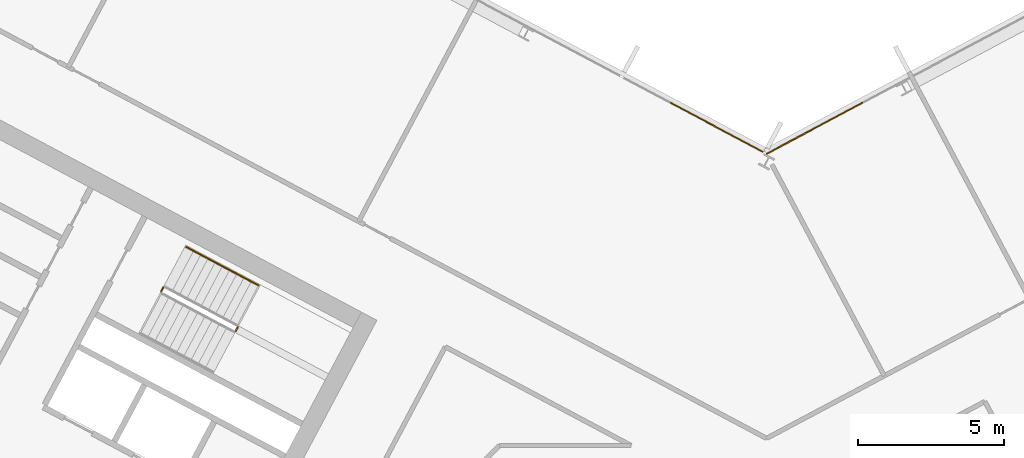
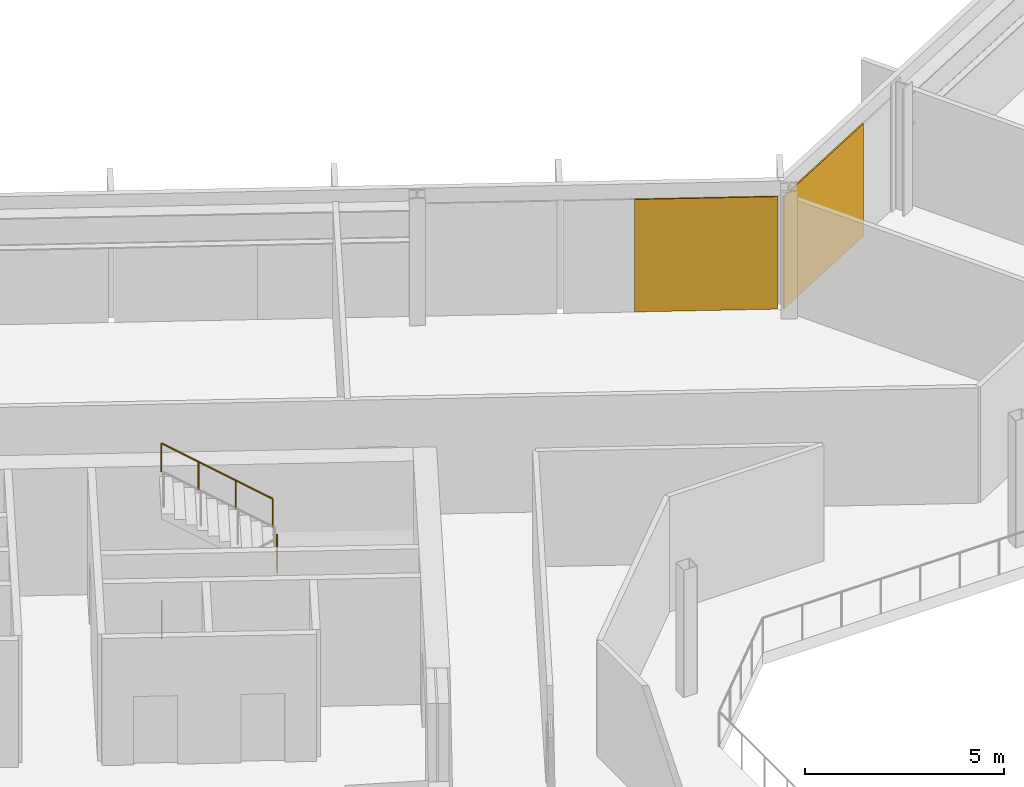
# One storey, part 23 of 27: 3 railings, 2 coverings, 2 elements without a shape of their own.
"""IFC4 building model written with IfcOpenShell, lengths in metres."""

from ifc_helpers import new_model, si_unit, direction, frame, origin, origin_2d, place, context, subcontext, project, spatial, polyline, rectangle, outline, extrude, material, layer, layer_set, type_object, element, aggregate, save


model = new_model("IFC4")

# Units and contexts
model_context = context("Model", 3, precision=1e-05, world=origin(), true_north=direction((0.0, 1.0)))
body_context = subcontext(model_context, "Body", "Model", "MODEL_VIEW")
ifc_project = project(units=[si_unit("LENGTHUNIT", "METRE"), si_unit("AREAUNIT", "SQUARE_METRE"), si_unit("VOLUMEUNIT", "CUBIC_METRE"), si_unit("PLANEANGLEUNIT", "RADIAN"), si_unit("MASSUNIT", "GRAM", prefix="KILO")], contexts=[model_context])

# Site, building, storey
site_placement = place(None, origin())
site = spatial("IfcSite", under=ifc_project, at=site_placement, CompositionType="ELEMENT")
building_placement = place(site_placement, origin())
building = spatial("IfcBuilding", under=site, at=building_placement, Name="Cormorant Relay Tower", CompositionType="ELEMENT")
storey_placement = place(building_placement, frame((0.0, 0.0, 201.300048828125)))
storey = spatial("IfcBuildingStorey", under=building, at=storey_placement, Name="L43", CompositionType="ELEMENT", Elevation=201.300048828125)

# Curtain wall, covering
ifc_material_1 = material(Name="Aluminium 6063-T6 anodised bronze", Category="aluminium")
ifc_layer_1 = layer(ifc_material_1, 0.199951171875)
ifc_layer_set_1 = layer_set([ifc_layer_1], Name="CW1 unitised bronze curtain wall with vertical fins")
curtain_wall_type = type_object("IfcCurtainWallType", Name="CW1 unitised bronze curtain wall with vertical fins", PredefinedType="NOTDEFINED", material=ifc_layer_set_1)
curtain_wall_1_placement = place(storey_placement, origin())
curtain_wall_1 = element("IfcCurtainWall", 1, at=curtain_wall_1_placement, inside=storey, type_object=curtain_wall_type, Name="CW1 curtain wall 8", PredefinedType="NOTDEFINED")
ifc_material_2 = material(Name="Pale bronze anodised aluminium insulated panel", Category="aluminium")
ifc_layer_2 = layer(ifc_material_2, 0.0400390625)
ifc_layer_set_2 = layer_set([ifc_layer_2], Name="CW1 pale bronze insulated panel 40")
covering_type = type_object("IfcCoveringType", Name="CW1 pale bronze insulated panel 40", PredefinedType="CLADDING", material=ifc_layer_set_2)
covering_1_placement = place(storey_placement, frame((1.65234375, 24.685302734375, 0.0), z_axis=(0.0, 0.0, 1.0), x_axis=(-0.882947592859, -0.469471562786, 0.0)))
covering_1 = element("IfcCovering", 2, at=covering_1_placement, type_object=covering_type, Name="CW1 panel S08", PredefinedType="CLADDING", context=body_context, shape_type="SweptSolid", body=[
    extrude(rectangle(XDim=3.763916015625, YDim=0.0400390625, at=origin_2d()), origin(), (0.0, 0.0, 1.0), 3.449951171875),
])
aggregate(curtain_wall_1, [covering_1])

curtain_wall_2_placement = place(storey_placement, origin())
curtain_wall_2 = element("IfcCurtainWall", 3, at=curtain_wall_2_placement, inside=storey, type_object=curtain_wall_type, Name="CW1 curtain wall 9", PredefinedType="NOTDEFINED")
covering_2_placement = place(storey_placement, frame((-1.718505859375, 24.720458984375, 0.0), z_axis=(0.0, 0.0, 1.0), x_axis=(-0.882947592859, 0.469471562786, 0.0)))
covering_2 = element("IfcCovering", 4, at=covering_2_placement, type_object=covering_type, Name="CW1 panel S00", PredefinedType="CLADDING", context=body_context, shape_type="SweptSolid", body=[
    extrude(rectangle(XDim=3.614013671875, YDim=0.0400390625, at=origin_2d()), origin(), (0.0, 0.0, 1.0), 3.449951171875),
])
aggregate(curtain_wall_2, [covering_2])

# Railings
ifc_material_3 = material(Name="Steel ASTM A572 Grade 50 (Fy 345 MPa)", Category="steel")
railing_type_1 = type_object("IfcRailingType", Name="Stair guard 1100", PredefinedType="GUARDRAIL", material=ifc_material_3)
railing_1_placement = place(storey_placement, frame((-18.210693359375, 17.72412109375, 1.949951171875)))
element("IfcRailing", 5, at=railing_1_placement, inside=storey, type_object=railing_type_1, Name="L43 A1 stair guard 2", PredefinedType="GUARDRAIL", context=body_context, shape_type="SweptSolid", body=[
    extrude(outline(polyline([(0.022216796875, 0.00927734375), (0.00927734375, 0.022216796875), (-0.00927734375, 0.022216796875), (-0.022216796875, 0.00927734375), (-0.022216796875, -0.00927734375), (-0.00927734375, -0.022216796875), (0.00927734375, -0.022216796875), (0.022216796875, -0.00927734375), (0.022216796875, 0.00927734375)])), frame((0.0, 0.0, 1.076171875), z_axis=(0.470503732759, 0.882398003998, 0.0), x_axis=(-0.882398003998, 0.470503732759, 0.0)), (0.0, 0.0, 1.0), 0.14990234375),
    extrude(outline(polyline([(0.019287109375, 0.008056640625), (0.008056640625, 0.019287109375), (-0.008056640625, 0.019287109375), (-0.019287109375, 0.008056640625), (-0.019287109375, -0.008056640625), (-0.008056640625, -0.019287109375), (0.008056640625, -0.019287109375), (0.019287109375, -0.008056640625), (0.019287109375, 0.008056640625)])), origin(), (0.0, 0.0, 1.0), 1.052001953125),
    extrude(outline(polyline([(0.019287109375, 0.008056640625), (0.008056640625, 0.019287109375), (-0.008056640625, 0.019287109375), (-0.019287109375, 0.008056640625), (-0.019287109375, -0.008056640625), (-0.008056640625, -0.019287109375), (0.008056640625, -0.019287109375), (0.019287109375, -0.008056640625), (0.019287109375, 0.008056640625)])), frame((0.070556640625, 0.13232421875, 0.0)), (0.0, 0.0, 1.0), 1.052001953125),
])
railing_2_placement = place(storey_placement, frame((-20.771240234375, 19.08544921875, 0.0)))
element("IfcRailing", 6, at=railing_2_placement, inside=storey, type_object=railing_type_1, Name="L43 A1 stair guard 4", PredefinedType="GUARDRAIL", context=body_context, shape_type="SweptSolid", body=[
    extrude(outline(polyline([(0.022216796875, 0.00927734375), (0.00927734375, 0.022216796875), (-0.00927734375, 0.022216796875), (-0.022216796875, 0.00927734375), (-0.022216796875, -0.00927734375), (-0.00927734375, -0.022216796875), (0.00927734375, -0.022216796875), (0.022216796875, -0.00927734375), (0.022216796875, 0.00927734375)])), frame((0.0, 0.0, 1.076171875), z_axis=(0.469828648786, 0.882757634224, 0.0), x_axis=(-0.882757634224, 0.469828648786, 0.0)), (0.0, 0.0, 1.0), 0.150146484375),
    extrude(outline(polyline([(0.019287109375, 0.008056640625), (0.008056640625, 0.019287109375), (-0.008056640625, 0.019287109375), (-0.019287109375, 0.008056640625), (-0.019287109375, -0.008056640625), (-0.008056640625, -0.019287109375), (0.008056640625, -0.019287109375), (0.019287109375, -0.008056640625), (0.019287109375, 0.008056640625)])), origin(), (0.0, 0.0, 1.0), 1.052001953125),
    extrude(outline(polyline([(0.019287109375, 0.008056640625), (0.008056640625, 0.019287109375), (-0.008056640625, 0.019287109375), (-0.019287109375, 0.008056640625), (-0.019287109375, -0.008056640625), (-0.008056640625, -0.019287109375), (0.008056640625, -0.019287109375), (0.019287109375, -0.008056640625), (0.019287109375, 0.008056640625)])), frame((0.070556640625, 0.132568359375, 0.0)), (0.0, 0.0, 1.0), 1.052001953125),
])
ifc_material_4 = material(Name="Steel ASTM A572 Grade 50 (Fy 345 MPa)", Category="steel")
railing_type_2 = type_object("IfcRailingType", Name="Stair handrail 900", PredefinedType="HANDRAIL", material=ifc_material_4)
railing_3_placement = place(storey_placement, frame((-17.433349609375, 19.292724609375, 2.127197265625)))
element("IfcRailing", 7, at=railing_3_placement, inside=storey, type_object=railing_type_2, Name="L43 A1 stair handrail 2", PredefinedType="HANDRAIL", context=body_context, shape_type="SweptSolid", body=[
    extrude(outline(polyline([(0.022216796875, 0.00927734375), (0.00927734375, 0.022216796875), (-0.00927734375, 0.022216796875), (-0.022216796875, 0.00927734375), (-0.022216796875, -0.00927734375), (-0.00927734375, -0.022216796875), (0.00927734375, -0.022216796875), (0.022216796875, -0.00927734375), (0.022216796875, 0.00927734375)])), frame((0.0, 0.0, 0.8759765625), z_axis=(-0.746001213114, 0.396649272309, 0.534931345884), x_axis=(-0.469465464807, -0.882950835185, 0.0)), (0.0, 0.0, 1.0), 3.31396484375),
    extrude(outline(polyline([(0.019287109375, 0.008056640625), (0.008056640625, 0.019287109375), (-0.008056640625, 0.019287109375), (-0.019287109375, 0.008056640625), (-0.019287109375, -0.008056640625), (-0.008056640625, -0.019287109375), (0.008056640625, -0.019287109375), (0.019287109375, -0.008056640625), (0.019287109375, 0.008056640625)])), origin(), (0.0, 0.0, 1.0), 0.851806640625),
    extrude(outline(polyline([(0.019287109375, 0.008056640625), (0.008056640625, 0.019287109375), (-0.008056640625, 0.019287109375), (-0.019287109375, 0.008056640625), (-0.019287109375, -0.008056640625), (-0.008056640625, -0.019287109375), (0.008056640625, -0.019287109375), (0.019287109375, -0.008056640625), (0.019287109375, 0.008056640625)])), frame((-0.823974609375, 0.438232421875, 0.5908203125)), (0.0, 0.0, 1.0), 0.851806640625),
    extrude(outline(polyline([(0.019287109375, 0.008056640625), (0.008056640625, 0.019287109375), (-0.008056640625, 0.019287109375), (-0.019287109375, 0.008056640625), (-0.019287109375, -0.008056640625), (-0.008056640625, -0.019287109375), (0.008056640625, -0.019287109375), (0.019287109375, -0.008056640625), (0.019287109375, 0.008056640625)])), frame((-1.648193359375, 0.876220703125, 1.181884765625)), (0.0, 0.0, 1.0), 0.851806640625),
    extrude(outline(polyline([(0.019287109375, 0.008056640625), (0.008056640625, 0.019287109375), (-0.008056640625, 0.019287109375), (-0.019287109375, 0.008056640625), (-0.019287109375, -0.008056640625), (-0.008056640625, -0.019287109375), (0.008056640625, -0.019287109375), (0.019287109375, -0.008056640625), (0.019287109375, 0.008056640625)])), frame((-2.47216796875, 1.314453125, 1.772705078125)), (0.0, 0.0, 1.0), 0.851806640625),
])

save(model, "model.ifc")
